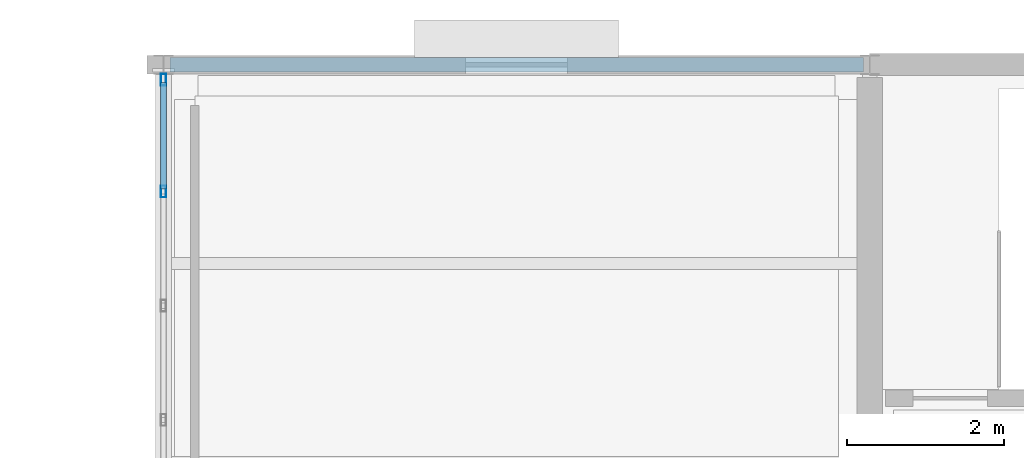
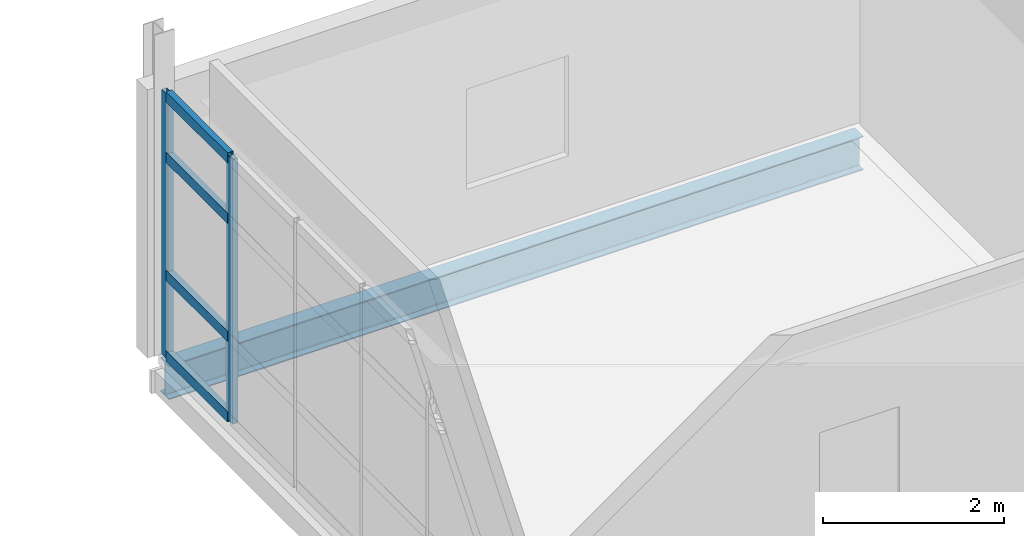
# One storey, part 31 of 48: 6 members, 1 beam, 1 element without a shape of its own.
"""IFC4 building model written with IfcOpenShell, lengths in metres."""

from ifc_helpers import new_model, si_unit, direction, frame, origin, origin_2d, place, context, subcontext, project, spatial, hollow_rectangle, i_section, extrude, material, material_profile, profile_set, type_object, element, aggregate, save


model = new_model("IFC4")

# Units and contexts
model_context = context("Model", 3, precision=1e-05, world=origin(), true_north=direction((0.0, 1.0)))
body_context = subcontext(model_context, "Body", "Model", "MODEL_VIEW")
ifc_project = project(units=[si_unit("LENGTHUNIT", "METRE"), si_unit("AREAUNIT", "SQUARE_METRE"), si_unit("VOLUMEUNIT", "CUBIC_METRE"), si_unit("PLANEANGLEUNIT", "RADIAN"), si_unit("MASSUNIT", "GRAM", prefix="KILO")], contexts=[model_context])

# Site, building, storey
site_placement = place(None, origin())
site = spatial("IfcSite", under=ifc_project, at=site_placement, CompositionType="ELEMENT")
building_placement = place(site_placement, origin())
building = spatial("IfcBuilding", under=site, at=building_placement, Name="Caisbarro Railhouse Central Library", CompositionType="ELEMENT")
storey_placement = place(building_placement, frame((0.0, 0.0, 18.0)))
storey = spatial("IfcBuildingStorey", under=building, at=storey_placement, Name="L04", CompositionType="ELEMENT", Elevation=18.0)

# Beam
ifc_material_1 = material(Name="Steel ASTM A572 Grade 50", Category="steel")
ifc_material_profile_1 = material_profile(ifc_material_1, i_section(OverallWidth=0.18994140625, OverallDepth=0.45703125, WebThickness=0.009033203125, FlangeThickness=0.014404296875, FilletRadius=0.01806640625, at=origin_2d()), Name="W460X74.0")
ifc_profile_set_1 = profile_set([ifc_material_profile_1], Name="Steel ASTM A572 Grade 50")
beam_type = type_object("IfcBeamType", Name="BM-SP01", PredefinedType="SPANDREL", material=ifc_profile_set_1)
beam_placement = place(storey_placement, frame((117.080078125, 114.0, -0.448486328125), z_axis=(1.0, 0.0, 0.0), x_axis=(0.0, 1.0, 0.0)))
element("IfcBeam", 1, at=beam_placement, inside=storey, type_object=beam_type, Name="SP01 beam L04 #2091", PredefinedType="SPANDREL", context=body_context, shape_type="SweptSolid", body=[
    extrude(i_section(OverallWidth=0.18994140625, OverallDepth=0.45703125, WebThickness=0.009033203125, FlangeThickness=0.014404296875, FilletRadius=0.01806640625, at=origin_2d()), origin(), (0.0, 0.0, 1.0), 8.83984375),
])

# Curtain wall, members
ifc_material_2 = material(Name="Anodised architectural aluminium", Category="aluminium")
curtain_wall_type = type_object("IfcCurtainWallType", Name="CW-CW02", PredefinedType="NOTDEFINED", material=ifc_material_2)
curtain_wall_placement = place(storey_placement, origin())
curtain_wall = element("IfcCurtainWall", 2, at=curtain_wall_placement, inside=storey, type_object=curtain_wall_type, Name="CW02 curtain wall L04 #160", PredefinedType="NOTDEFINED")
ifc_material_profile_2 = material_profile(ifc_material_2, hollow_rectangle(XDim=0.06494140625, YDim=0.14990234375, WallThickness=0.00390625, at=origin_2d()), Name="ALU-MUL-65X150")
ifc_profile_set_2 = profile_set([ifc_material_profile_2], Name="Anodised architectural aluminium")
member_type_1 = type_object("IfcMemberType", Name="CWM-M02", PredefinedType="MULLION", material=ifc_profile_set_2)
member_1_placement = place(storey_placement, frame((117.0, 112.384033203125, 0.0), z_axis=(0.0, 0.0, 1.0), x_axis=(-1.0, 0.0, 0.0)))
member_1 = element("IfcMember", 3, at=member_1_placement, type_object=member_type_1, Name="CW02 mullion 5", PredefinedType="MULLION", context=body_context, shape_type="SweptSolid", body=[
    extrude(hollow_rectangle(XDim=0.06494140625, YDim=0.14990234375, WallThickness=0.00390625, at=origin_2d()), origin(), (0.0, 0.0, 1.0), 3.56005859375),
])
member_2_placement = place(storey_placement, frame((117.0, 113.8076171875, 0.0), z_axis=(0.0, 0.0, 1.0), x_axis=(-1.0, 0.0, 0.0)))
member_2 = element("IfcMember", 4, at=member_2_placement, type_object=member_type_1, Name="CW02 mullion 6", PredefinedType="MULLION", context=body_context, shape_type="SweptSolid", body=[
    extrude(hollow_rectangle(XDim=0.06494140625, YDim=0.14990234375, WallThickness=0.00390625, at=origin_2d()), origin(), (0.0, 0.0, 1.0), 3.56005859375),
])
ifc_material_profile_3 = material_profile(ifc_material_2, hollow_rectangle(XDim=0.074951171875, YDim=0.139892578125, WallThickness=0.00390625, at=origin_2d()), Name="ALU-TRN-75X140")
ifc_profile_set_3 = profile_set([ifc_material_profile_3], Name="Anodised architectural aluminium")
member_type_2 = type_object("IfcMemberType", Name="CWT-T01", PredefinedType="USERDEFINED", material=ifc_profile_set_3)
member_3_placement = place(storey_placement, frame((117.0, 112.41650390625, 0.03759765625), z_axis=(0.0, 1.0, 0.0), x_axis=(-1.0, 0.0, 0.0)))
member_3 = element("IfcMember", 5, at=member_3_placement, type_object=member_type_2, Name="CW02 transom 5.1", ObjectType="TRANSOM", PredefinedType="USERDEFINED", context=body_context, shape_type="SweptSolid", body=[
    extrude(hollow_rectangle(XDim=0.074951171875, YDim=0.139892578125, WallThickness=0.00390625, at=origin_2d()), origin(), (0.0, 0.0, 1.0), 1.3583984375),
])
member_4_placement = place(storey_placement, frame((117.0, 112.41650390625, 1.1201171875), z_axis=(0.0, 1.0, 0.0), x_axis=(-1.0, 0.0, 0.0)))
member_4 = element("IfcMember", 6, at=member_4_placement, type_object=member_type_2, Name="CW02 transom 5.2", ObjectType="TRANSOM", PredefinedType="USERDEFINED", context=body_context, shape_type="SweptSolid", body=[
    extrude(hollow_rectangle(XDim=0.074951171875, YDim=0.139892578125, WallThickness=0.00390625, at=origin_2d()), origin(), (0.0, 0.0, 1.0), 1.3583984375),
])
member_5_placement = place(storey_placement, frame((117.0, 112.41650390625, 2.7099609375), z_axis=(0.0, 1.0, 0.0), x_axis=(-1.0, 0.0, 0.0)))
member_5 = element("IfcMember", 7, at=member_5_placement, type_object=member_type_2, Name="CW02 transom 5.3", ObjectType="TRANSOM", PredefinedType="USERDEFINED", context=body_context, shape_type="SweptSolid", body=[
    extrude(hollow_rectangle(XDim=0.074951171875, YDim=0.139892578125, WallThickness=0.00390625, at=origin_2d()), origin(), (0.0, 0.0, 1.0), 1.3583984375),
])
member_6_placement = place(storey_placement, frame((117.0, 112.41650390625, 3.5224609375), z_axis=(0.0, 1.0, 0.0), x_axis=(-1.0, 0.0, 0.0)))
member_6 = element("IfcMember", 8, at=member_6_placement, type_object=member_type_2, Name="CW02 transom 5.4", ObjectType="TRANSOM", PredefinedType="USERDEFINED", context=body_context, shape_type="SweptSolid", body=[
    extrude(hollow_rectangle(XDim=0.074951171875, YDim=0.139892578125, WallThickness=0.00390625, at=origin_2d()), origin(), (0.0, 0.0, 1.0), 1.3583984375),
])
aggregate(curtain_wall, [member_1, member_2, member_3, member_4, member_5, member_6])

save(model, "model.ifc")
